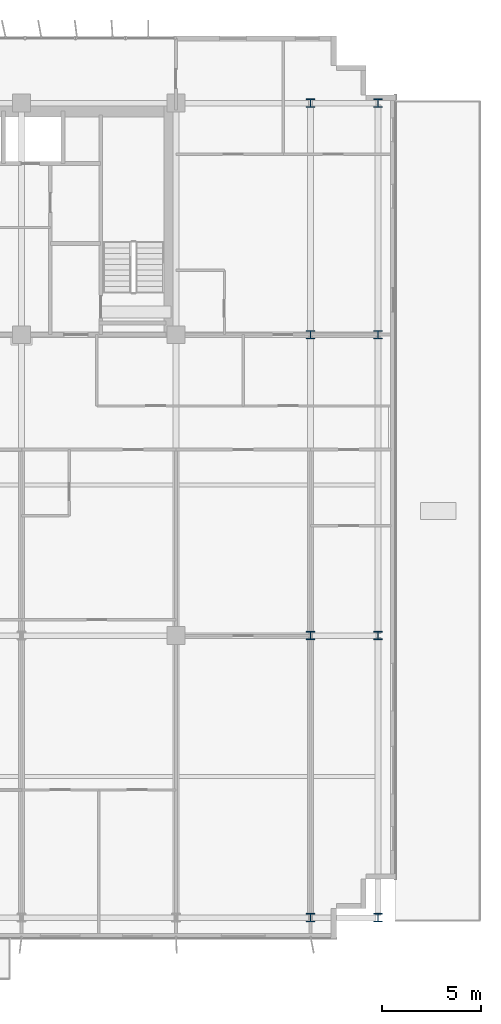
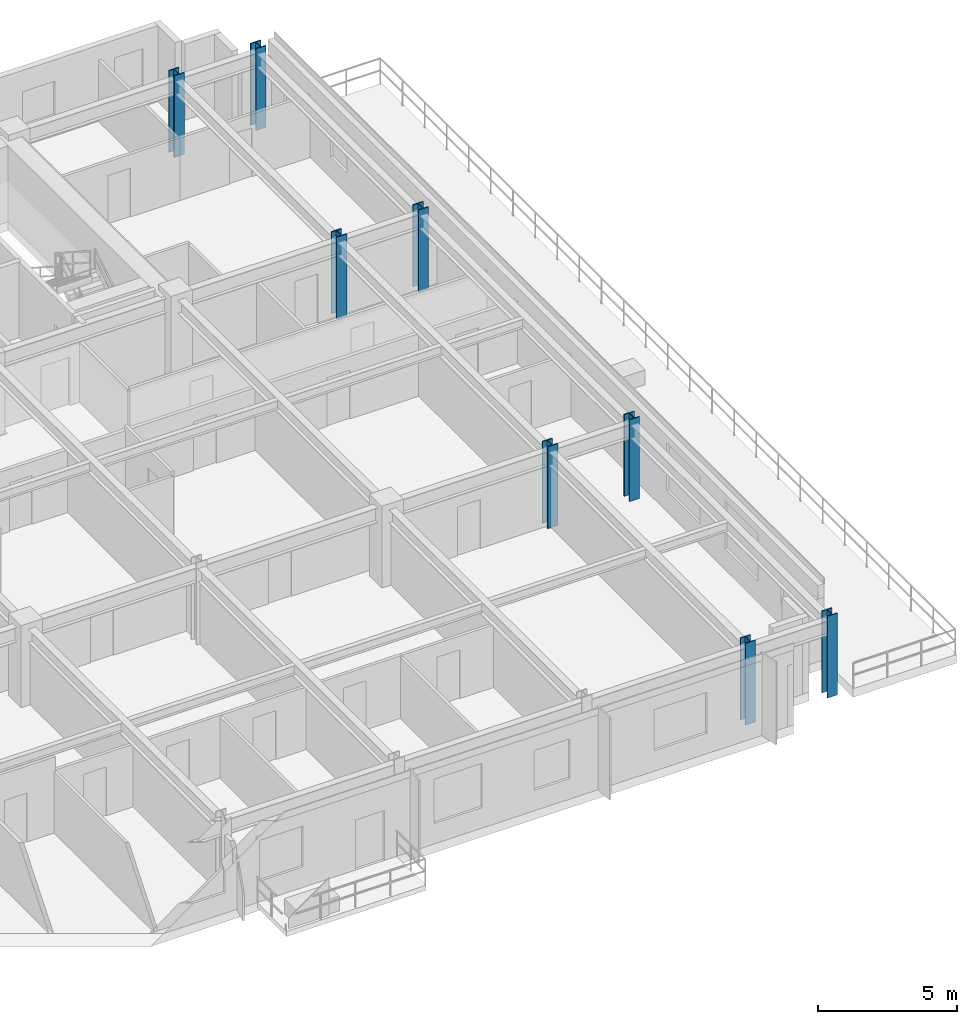
# One storey, part 2 of 26: 8 columns.
"""IFC4 building model written with IfcOpenShell, lengths in metres."""

import ifcopenshell
import ifcopenshell.guid

model = None  # the IFC model being written
_history = None  # IfcOwnerHistory: only IFC2X3 demands one
_inside = {}  # id of a spatial element -> (the spatial element, [elements in it])
_under = {}  # id of a project, library or spatial element -> (it, [spatial elements below it])
_declared = {}  # id of a project -> (the project, [libraries it declares])
_typed = {}  # id of a type object -> (the type object, [elements of that type])
_made_of = {}  # id of a material, layer set ... -> (it, [elements and type objects made of it])


def new_model(schema):
    """Start an empty IFC model of exactly this schema.

    Asked for "IFC4X3", IfcOpenShell would pick the latest addendum, in which some entities
    have other attributes; the version numbers below select the first issue.
    IFC2X3 requires an IfcOwnerHistory on every rooted entity: one is made here for all.
    """
    global model, _history
    if schema == "IFC4X3":
        model = ifcopenshell.file(schema_version=(4, 3, 0, 0))
    else:
        model = ifcopenshell.file(schema=schema)
    _inside.clear()
    _under.clear()
    _declared.clear()
    _typed.clear()
    _made_of.clear()
    _history = None
    if model.schema == "IFC2X3":
        org = make("IfcOrganization", Name="unknown")
        user = make(
            "IfcPersonAndOrganization",
            ThePerson=make("IfcPerson", FamilyName="unknown"),
            TheOrganization=org,
        )
        app = make(
            "IfcApplication",
            ApplicationDeveloper=org,
            Version="unknown",
            ApplicationFullName="unknown",
            ApplicationIdentifier="unknown",
        )
        _history = make(
            "IfcOwnerHistory",
            OwningUser=user,
            OwningApplication=app,
            ChangeAction="ADDED",
            CreationDate=0,
        )
    return model


def make(cls, **values):
    """One entity of the class cls with the attributes given. An attribute that is None is left unset."""
    return model.create_entity(
        cls, **{name: value for name, value in values.items() if value is not None}
    )


def rooted(cls, **values):
    """An entity with a GlobalId (a new one), such as an element, a storey or a relation."""
    return make(cls, GlobalId=ifcopenshell.guid.new(), OwnerHistory=_history, **values)


def si_unit(unit_type, name, prefix=None):
    """IfcSIUnit, for example si_unit("LENGTHUNIT", "METRE", prefix="MILLI")."""
    return make("IfcSIUnit", UnitType=unit_type, Prefix=prefix, Name=name)


def assignment(units):
    """IfcUnitAssignment: the units of a project."""
    return None if units is None else make("IfcUnitAssignment", Units=units)


def point(xyz):
    """IfcCartesianPoint."""
    return None if xyz is None else make("IfcCartesianPoint", Coordinates=xyz)


def direction(xyz):
    """IfcDirection."""
    return None if xyz is None else make("IfcDirection", DirectionRatios=xyz)


def frame(location, z_axis=None, x_axis=None):
    """IfcAxis2Placement3D, a coordinate frame: its origin and axes. An axis left out is left unset."""
    return make(
        "IfcAxis2Placement3D",
        Location=point(location),
        Axis=direction(z_axis),
        RefDirection=direction(x_axis),
    )


def frame_2d(location, x_axis=None):
    """IfcAxis2Placement2D, a coordinate frame in the plane: its origin and x axis."""
    return make(
        "IfcAxis2Placement2D", Location=point(location), RefDirection=direction(x_axis)
    )


def origin():
    """The frame at (0, 0, 0) with its axes left unset."""
    return frame((0.0, 0.0, 0.0))


def origin_2d():
    """The frame at (0, 0) in the plane with its x axis left unset."""
    return frame_2d((0.0, 0.0))


def place(relative_to, where):
    """IfcLocalPlacement: puts the frame where relative to a parent placement (None: the world)."""
    return make(
        "IfcLocalPlacement", PlacementRelTo=relative_to, RelativePlacement=where
    )


def context(
    kind, dimensions, precision=None, world=None, true_north=None, identifier=None
):
    """IfcGeometricRepresentationContext, for example the 3D "Model" context."""
    return make(
        "IfcGeometricRepresentationContext",
        ContextIdentifier=identifier,
        ContextType=kind,
        CoordinateSpaceDimension=dimensions,
        Precision=precision,
        WorldCoordinateSystem=world,
        TrueNorth=true_north,
    )


def subcontext(parent, identifier, kind, view, scale=None):
    """IfcGeometricRepresentationSubContext, for example "Body" below "Model"."""
    return make(
        "IfcGeometricRepresentationSubContext",
        ContextIdentifier=identifier,
        ContextType=kind,
        ParentContext=parent,
        TargetScale=scale,
        TargetView=view,
    )


def project(units=None, contexts=None):
    """IfcProject with its units and contexts."""
    return rooted(
        "IfcProject",
        Name="project",
        RepresentationContexts=contexts,
        UnitsInContext=assignment(units),
    )


def spatial(cls, under=None, at=None, **own):
    """A site, building, storey or space (cls), placed at a placement, below another one or the project."""
    s = rooted(cls, ObjectPlacement=at, **own)
    if under is not None:
        _under.setdefault(under.id(), (under, []))[1].append(s)
    return s


def profile(cls, at=None, kind="AREA", **sizes):
    """A parametric profile (cls). Its sizes go by their IFC names, for example OverallWidth=200.0."""
    return make(cls, ProfileType=kind, Position=at, **sizes)


def i_section(**sizes):
    """IfcIShapeProfileDef."""
    return profile("IfcIShapeProfileDef", **sizes)


def extrude(swept, where, along, depth):
    """IfcExtrudedAreaSolid: the profile swept, set in the frame where, extruded along a direction by depth."""
    return make(
        "IfcExtrudedAreaSolid",
        SweptArea=swept,
        Position=where,
        ExtrudedDirection=direction(along),
        Depth=depth,
    )


def shape(context_of_items, identifier, shape_type, items):
    """IfcShapeRepresentation: the items that make up one representation, for example the "Body"."""
    return make(
        "IfcShapeRepresentation",
        ContextOfItems=context_of_items,
        RepresentationIdentifier=identifier,
        RepresentationType=shape_type,
        Items=items,
    )


def source(mapping_origin, context_of_items, identifier, shape_type, items):
    """IfcRepresentationMap: a shape defined once, which mapped items show again and again."""
    return make(
        "IfcRepresentationMap",
        MappingOrigin=mapping_origin,
        MappedRepresentation=shape(context_of_items, identifier, shape_type, items),
    )


def transform(
    local_origin,
    x_axis=None,
    y_axis=None,
    z_axis=None,
    scale=None,
    scale2=None,
    scale3=None,
    uniform=True,
):
    """IfcCartesianTransformationOperator3D, or its non-uniform kind. x_axis, y_axis, z_axis: its Axis1, 2, 3."""
    if uniform:
        return make(
            "IfcCartesianTransformationOperator3D",
            Axis1=direction(x_axis),
            Axis2=direction(y_axis),
            LocalOrigin=point(local_origin),
            Scale=scale,
            Axis3=direction(z_axis),
        )
    return make(
        "IfcCartesianTransformationOperator3DnonUniform",
        Axis1=direction(x_axis),
        Axis2=direction(y_axis),
        LocalOrigin=point(local_origin),
        Scale=scale,
        Axis3=direction(z_axis),
        Scale2=scale2,
        Scale3=scale3,
    )


def mapped(mapping_source, mapping_target):
    """IfcMappedItem: shows the shape of a source again, moved by a transform."""
    return make(
        "IfcMappedItem", MappingSource=mapping_source, MappingTarget=mapping_target
    )


def material(Name=None, Category=None):
    """IfcMaterial."""
    return make("IfcMaterial", Name=Name, Category=Category)


def material_profile(
    of_material, cross_section, Name=None, Category=None, Priority=None
):
    """IfcMaterialProfile: a cross section and its material."""
    return make(
        "IfcMaterialProfile",
        Name=Name,
        Material=of_material,
        Profile=cross_section,
        Priority=Priority,
        Category=Category,
    )


def profile_set(profiles, Name=None, composite=None):
    """IfcMaterialProfileSet."""
    return make(
        "IfcMaterialProfileSet",
        Name=Name,
        MaterialProfiles=profiles,
        CompositeProfile=composite,
    )


def made_of(thing, what):
    """Note that an element or type object is made of a material, layer set ...; save() writes the relation."""
    if what is not None:
        _made_of.setdefault(what.id(), (what, []))[1].append(thing)
    return thing


def type_object(cls, material=None, **own):
    """A type object (cls), such as IfcWallType, which elements share."""
    return made_of(rooted(cls, **own), material)


def element(
    cls,
    number,
    at=None,
    inside=None,
    cuts=None,
    type_object=None,
    material=None,
    context=None,
    identifier="Body",
    shape_type=None,
    held_by="IfcProductDefinitionShape",
    body=None,
    shapes=None,
    **own,
):
    """One element of the class cls, such as IfcWall. Its Tag is "e" and its number.

    at: its placement. inside: the storey or other place that contains it. cuts: it is an
    opening in that element (IfcRelVoidsElement). A single representation is given by context,
    identifier, shape_type and body (its items); several are given by shapes. held_by: the class
    of the entity that holds the representations. save() writes the other relations.
    """
    e = rooted(cls, Tag="e%d" % number, ObjectPlacement=at, **own)
    if body is not None:
        shapes = [shape(context, identifier, shape_type, body)]
    if shapes is not None:
        e.Representation = make(held_by, Representations=shapes)
    if inside is not None:
        _inside.setdefault(inside.id(), (inside, []))[1].append(e)
    if cuts is not None:
        rooted(
            "IfcRelVoidsElement", RelatingBuildingElement=cuts, RelatedOpeningElement=e
        )
    if type_object is not None:
        _typed.setdefault(type_object.id(), (type_object, []))[1].append(e)
    return made_of(e, material)


def aggregate(whole, parts):
    """IfcRelAggregates: a whole, such as a stair, and the parts it consists of."""
    return rooted("IfcRelAggregates", RelatingObject=whole, RelatedObjects=parts)


def save(model, path):
    """Write the relations noted so far, then the file.

    IfcRelAggregates (storeys below a building ...), IfcRelContainedInSpatialStructure (elements
    in a storey), IfcRelDefinesByType, IfcRelAssociatesMaterial and IfcRelDeclares: one each for
    every whole, place, type object, material and project.
    """
    for whole, parts in _under.values():
        aggregate(whole, parts)
    for where, things in _inside.values():
        rooted(
            "IfcRelContainedInSpatialStructure",
            RelatedElements=things,
            RelatingStructure=where,
        )
    for kind, things in _typed.values():
        rooted("IfcRelDefinesByType", RelatedObjects=things, RelatingType=kind)
    for what, things in _made_of.values():
        rooted("IfcRelAssociatesMaterial", RelatedObjects=things, RelatingMaterial=what)
    for by, libraries in _declared.values():
        rooted("IfcRelDeclares", RelatingContext=by, RelatedDefinitions=libraries)
    model.write(path)


model = new_model("IFC4")

# Units and contexts
model_context = context("Model", 3, precision=1e-05, world=origin(), true_north=direction((0.0, 1.0)))
body_context = subcontext(model_context, "Body", "Model", "MODEL_VIEW")
ifc_project = project(units=[si_unit("LENGTHUNIT", "METRE"), si_unit("AREAUNIT", "SQUARE_METRE"), si_unit("VOLUMEUNIT", "CUBIC_METRE"), si_unit("PLANEANGLEUNIT", "RADIAN"), si_unit("MASSUNIT", "GRAM", prefix="KILO")], contexts=[model_context])

# Site, building, storey
site_placement = place(None, origin())
site = spatial("IfcSite", under=ifc_project, at=site_placement, CompositionType="ELEMENT")
building_placement = place(site_placement, origin())
building = spatial("IfcBuilding", under=site, at=building_placement, Name="Trelvane Seafront Commons", CompositionType="ELEMENT")
storey_placement = place(building_placement, frame((0.0, 0.0, 23.5)))
storey = spatial("IfcBuildingStorey", under=building, at=storey_placement, Name="L05", CompositionType="ELEMENT", Elevation=23.5)

# Columns
ifc_material = material(Name="Steel SM355 (S355)", Category="steel")
ifc_material_profile = material_profile(ifc_material, i_section(OverallWidth=0.419921875, OverallDepth=0.419921875, WebThickness=0.02587890625, FlangeThickness=0.0400390625, at=origin_2d()), Name="HD-420x420x26x40")
ifc_profile_set = profile_set([ifc_material_profile], Name="Steel SM355 (S355)")
column_type = type_object("IfcColumnType", Name="STR-COL-HD420", PredefinedType="COLUMN", material=ifc_profile_set)
shared_shape = source(origin(), body_context, "Body", "SweptSolid", [
    extrude(i_section(OverallWidth=0.419921875, OverallDepth=0.419921875, WebThickness=0.02587890625, FlangeThickness=0.0400390625, at=origin_2d()), origin(), (0.0, 0.0, 1.0), 3.60009765625),
])
for number, where, z_axis, x_axis, name in (
    (1, (65.60009765625, 3.949951171875, 0.0), (0.0, 0.0, 1.0), (1.0, 0.0, 0.0), "L05 Column TC-S65.6"),
    (2, (65.60009765625, 18.199951171875, 0.0), (0.0, 0.0, 1.0), (1.0, 0.0, 0.0), "L05 Column TC-M65.6"),
    (3, (65.60009765625, 33.39990234375, 0.0), (0.0, 0.0, 1.0), (1.0, 0.0, 0.0), "L05 Column TC-CS65.6"),
    (4, (65.60009765625, 45.10009765625, 0.0), (0.0, 0.0, 1.0), (1.0, 0.0, 0.0), "L05 Column TC-CN65.6"),
    (5, (69.0, 3.949951171875, 0.0), (0.0, 0.0, 1.0), (1.0, 0.0, 0.0), "L05 Column TC-S69.0"),
    (6, (69.0, 18.199951171875, 0.0), (0.0, 0.0, 1.0), (1.0, 0.0, 0.0), "L05 Column TC-M69.0"),
    (7, (69.0, 33.39990234375, 0.0), (0.0, 0.0, 1.0), (1.0, 0.0, 0.0), "L05 Column TC-CS69.0"),
    (8, (69.0, 45.10009765625, 0.0), (0.0, 0.0, 1.0), (1.0, 0.0, 0.0), "L05 Column TC-CN69.0"),
):
    element("IfcColumn", number, at=place(storey_placement, frame(where, z_axis=z_axis, x_axis=x_axis)), inside=storey, type_object=column_type, Name=name, PredefinedType="COLUMN", context=body_context, shape_type="MappedRepresentation", body=[
        mapped(shared_shape, transform((0.0, 0.0, 0.0), x_axis=(1.0, 0.0, 0.0), y_axis=(0.0, 1.0, 0.0), z_axis=(0.0, 0.0, 1.0), scale=1.0)),
    ])

save(model, "model.ifc")
